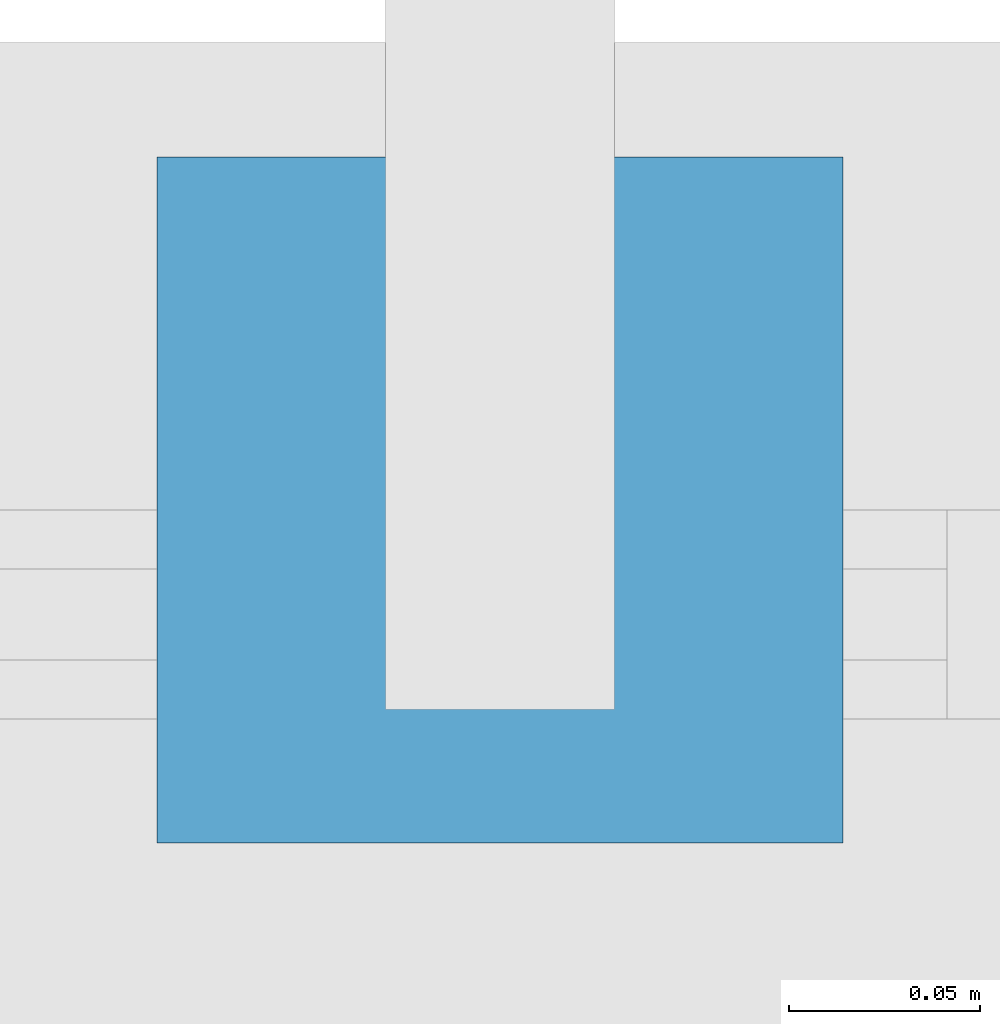
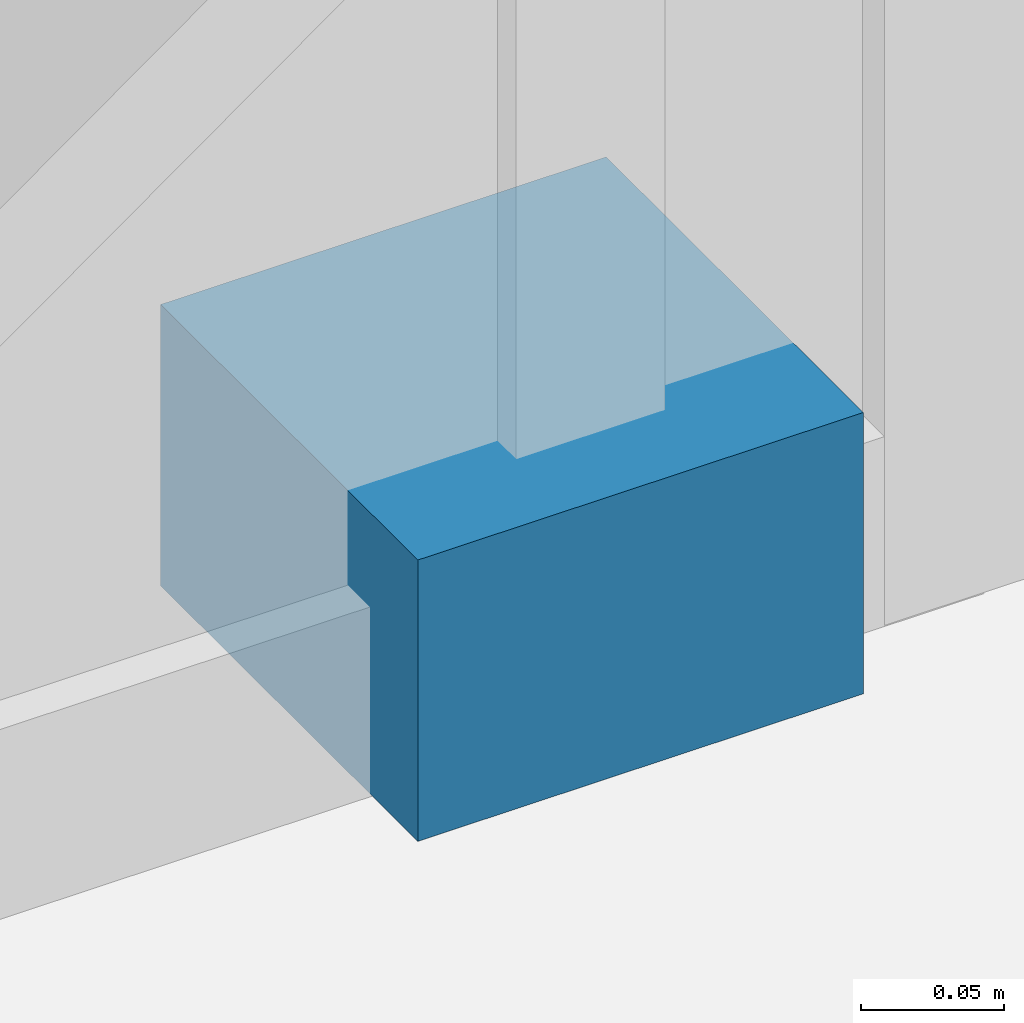
# One storey, part 22 of 26: 1 discrete accessory.
"""IFC4 building model written with IfcOpenShell, lengths in metres."""

from ifc_helpers import new_model, si_unit, direction, frame, origin, origin_2d, place, context, subcontext, project, spatial, rectangle, extrude, material, type_object, element, save


model = new_model("IFC4")

# Units and contexts
model_context = context("Model", 3, precision=1e-05, world=origin(), true_north=direction((0.0, 1.0)))
body_context = subcontext(model_context, "Body", "Model", "MODEL_VIEW")
ifc_project = project(units=[si_unit("LENGTHUNIT", "METRE"), si_unit("AREAUNIT", "SQUARE_METRE"), si_unit("VOLUMEUNIT", "CUBIC_METRE"), si_unit("PLANEANGLEUNIT", "RADIAN"), si_unit("MASSUNIT", "GRAM", prefix="KILO")], contexts=[model_context])

# Site, building, storey
site_placement = place(None, origin())
site = spatial("IfcSite", under=ifc_project, at=site_placement, CompositionType="ELEMENT")
building_placement = place(site_placement, origin())
building = spatial("IfcBuilding", under=site, at=building_placement, Name="Vourika Railside Aquatics Centre", CompositionType="ELEMENT")
storey_placement = place(building_placement, frame((0.0, 0.0, 17.699951171875)))
storey = spatial("IfcBuildingStorey", under=building, at=storey_placement, Name="L04", CompositionType="ELEMENT", Elevation=17.699951171875)

# Discrete accessory
ifc_material = material(Name="Duplex stainless steel EN 1.4462", Category="steel")
discrete_accessory_type = type_object("IfcDiscreteAccessoryType", Name="ACC-BRK-180", PredefinedType="BRACKET", material=ifc_material)
discrete_accessory_placement = place(storey_placement, frame((86.35009765625, 116.030029296875, 0.0), z_axis=(0.0, 0.0, 1.0), x_axis=(0.0, 1.0, 0.0)))
element("IfcDiscreteAccessory", 1, at=discrete_accessory_placement, inside=storey, type_object=discrete_accessory_type, Name="Stainless Fin Shoe Bracket BK-116", PredefinedType="BRACKET", context=body_context, shape_type="SweptSolid", body=[
    extrude(rectangle(XDim=0.179931640625, YDim=0.179931640625, at=origin_2d()), origin(), (0.0, 0.0, 1.0), 0.1201171875),
])

save(model, "model.ifc")
